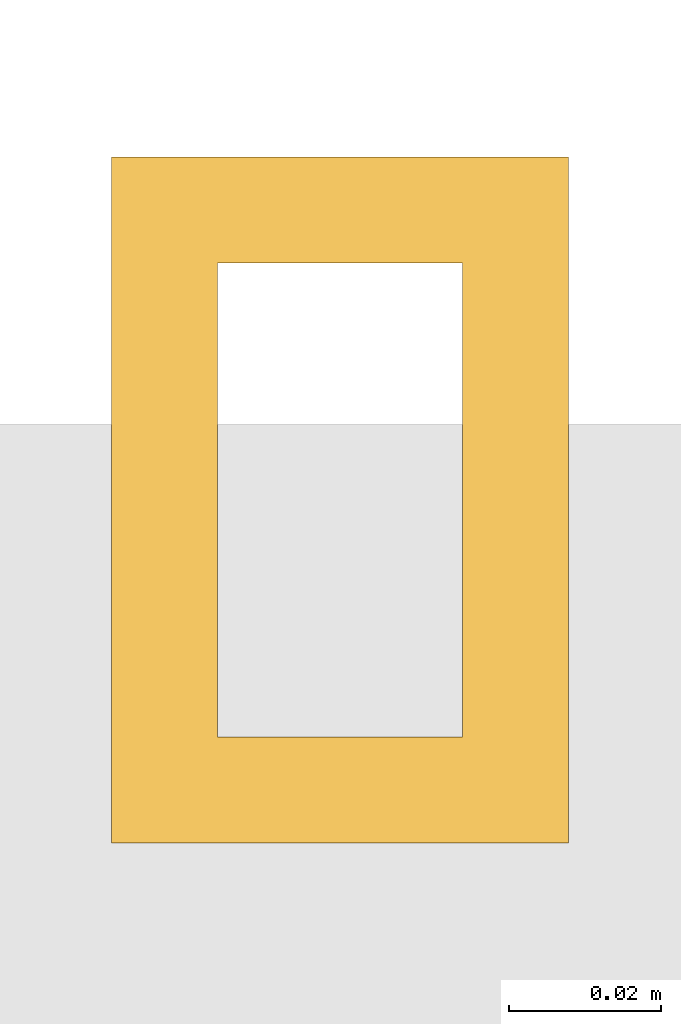
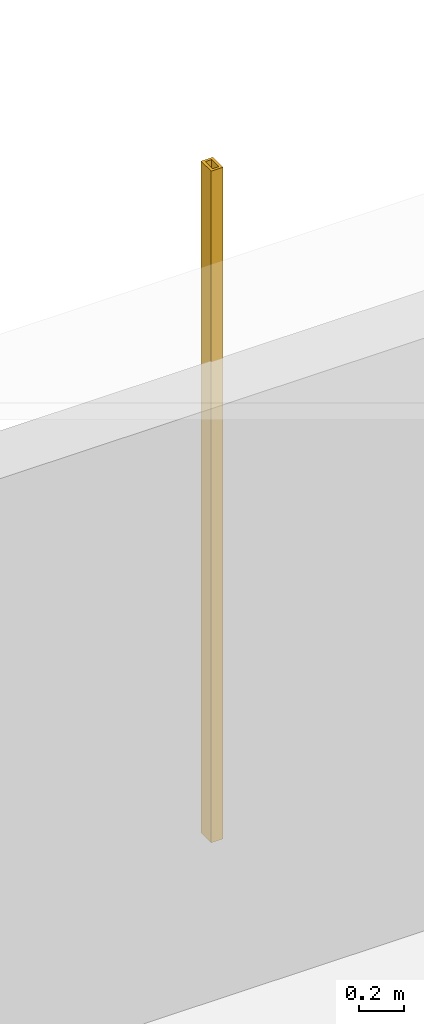
# One storey, part 28 of 30: 1 shading device.
"""IFC4 building model written with IfcOpenShell, lengths in metres."""

from ifc_helpers import new_model, si_unit, direction, frame, origin, origin_2d, place, context, subcontext, project, spatial, hollow_rectangle, extrude, material, material_profile, profile_set, type_object, element, save


model = new_model("IFC4")

# Units and contexts
model_context = context("Model", 3, precision=1e-05, world=origin(), true_north=direction((0.0, 1.0)))
body_context = subcontext(model_context, "Body", "Model", "MODEL_VIEW")
ifc_project = project(units=[si_unit("LENGTHUNIT", "METRE"), si_unit("AREAUNIT", "SQUARE_METRE"), si_unit("VOLUMEUNIT", "CUBIC_METRE"), si_unit("PLANEANGLEUNIT", "RADIAN"), si_unit("MASSUNIT", "GRAM", prefix="KILO")], contexts=[model_context])

# Site, building, storey
site_placement = place(None, origin())
site = spatial("IfcSite", under=ifc_project, at=site_placement, CompositionType="ELEMENT")
building_placement = place(site_placement, origin())
building = spatial("IfcBuilding", under=site, at=building_placement, Name="Punatoya Terracotta Tower", CompositionType="ELEMENT")
storey_placement = place(building_placement, frame((0.0, 0.0, 135.0)))
storey = spatial("IfcBuildingStorey", under=building, at=storey_placement, Name="L31", CompositionType="ELEMENT", Elevation=135.0)

# Shading device
ifc_material = material(Name="Architectural Fired Terracotta", Category="masonry")
ifc_material_profile = material_profile(ifc_material, hollow_rectangle(XDim=0.06005859375, YDim=0.090087890625, WallThickness=0.013916015625, at=origin_2d()))
ifc_profile_set = profile_set([ifc_material_profile], Name="Architectural Fired Terracotta")
shading_device_type = type_object("IfcShadingDeviceType", Name="SHD-JALI-90", PredefinedType="JALOUSIE", material=ifc_profile_set)
shading_device_placement = place(storey_placement, frame((-11.49853515625, 15.0400390625, 0.60009765625), z_axis=(0.0, 0.0, 1.0), x_axis=(1.0, 0.0, 0.0)))
element("IfcShadingDevice", 1, at=shading_device_placement, inside=storey, type_object=shading_device_type, Name="L31 Braced Bay Terracotta Jali Fin N2", PredefinedType="JALOUSIE", context=body_context, shape_type="SweptSolid", body=[
    extrude(hollow_rectangle(XDim=0.06005859375, YDim=0.090087890625, WallThickness=0.013916015625, at=origin_2d()), origin(), (0.0, 0.0, 1.0), 3.619873046875),
])

save(model, "model.ifc")
